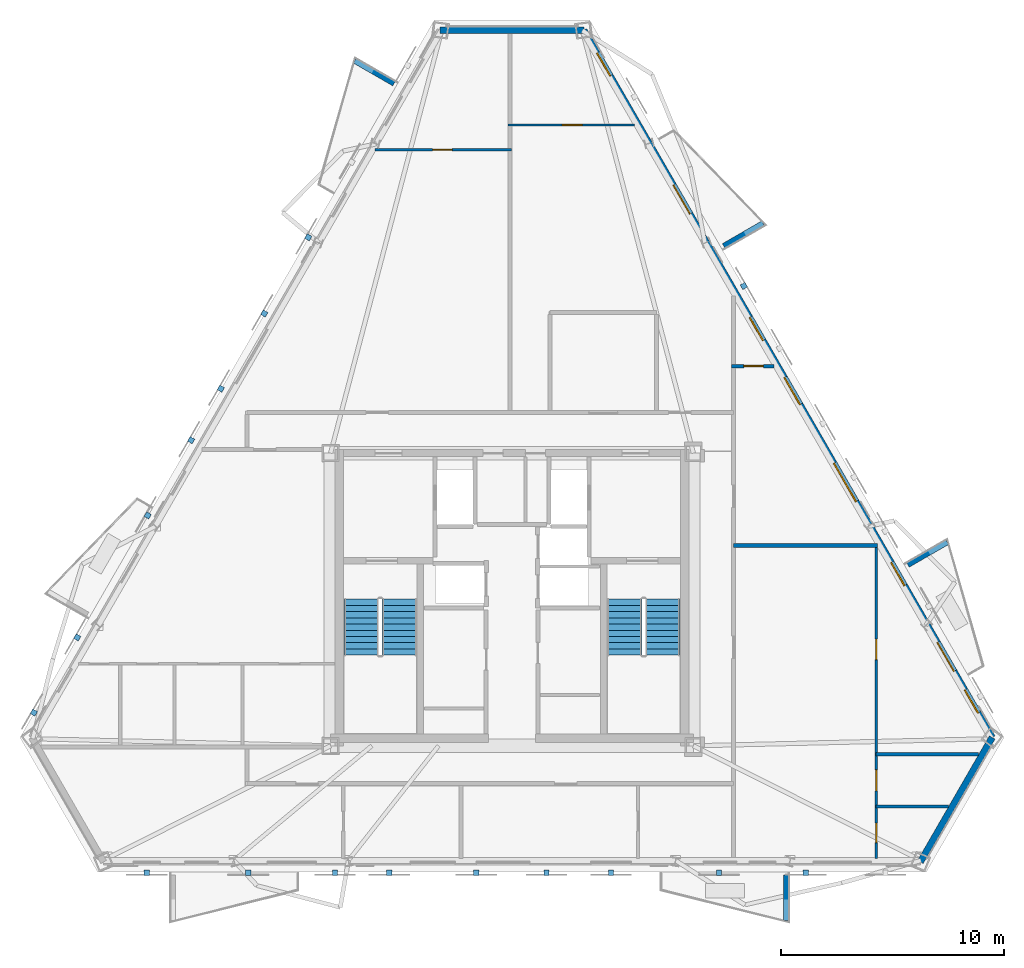
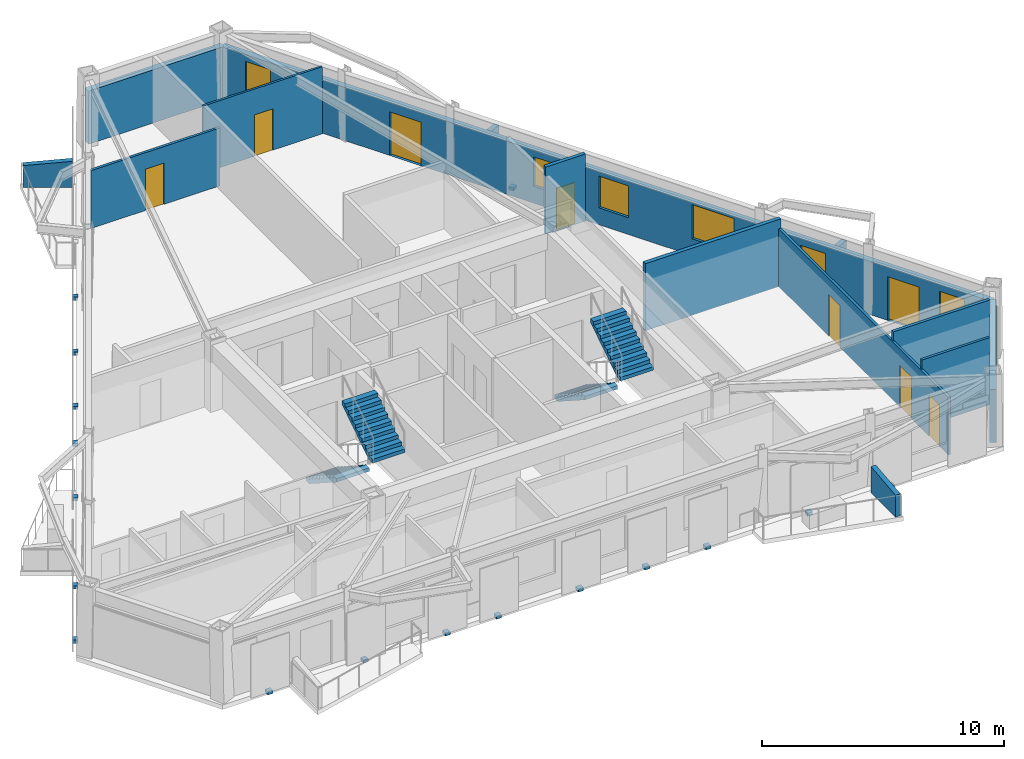
# One storey, part 5 of 9: 17 discrete accessories, 14 walls, 8 doors, 6 windows, 4 stair flights, 14 openings, 2 elements without a shape of their own.
"""IFC4 building model written with IfcOpenShell, lengths in metres."""

import ifcopenshell
import ifcopenshell.guid

model = None  # the IFC model being written
_history = None  # IfcOwnerHistory: only IFC2X3 demands one
_inside = {}  # id of a spatial element -> (the spatial element, [elements in it])
_under = {}  # id of a project, library or spatial element -> (it, [spatial elements below it])
_declared = {}  # id of a project -> (the project, [libraries it declares])
_typed = {}  # id of a type object -> (the type object, [elements of that type])
_made_of = {}  # id of a material, layer set ... -> (it, [elements and type objects made of it])


def new_model(schema):
    """Start an empty IFC model of exactly this schema.

    Asked for "IFC4X3", IfcOpenShell would pick the latest addendum, in which some entities
    have other attributes; the version numbers below select the first issue.
    IFC2X3 requires an IfcOwnerHistory on every rooted entity: one is made here for all.
    """
    global model, _history
    if schema == "IFC4X3":
        model = ifcopenshell.file(schema_version=(4, 3, 0, 0))
    else:
        model = ifcopenshell.file(schema=schema)
    _inside.clear()
    _under.clear()
    _declared.clear()
    _typed.clear()
    _made_of.clear()
    _history = None
    if model.schema == "IFC2X3":
        org = make("IfcOrganization", Name="unknown")
        user = make(
            "IfcPersonAndOrganization",
            ThePerson=make("IfcPerson", FamilyName="unknown"),
            TheOrganization=org,
        )
        app = make(
            "IfcApplication",
            ApplicationDeveloper=org,
            Version="unknown",
            ApplicationFullName="unknown",
            ApplicationIdentifier="unknown",
        )
        _history = make(
            "IfcOwnerHistory",
            OwningUser=user,
            OwningApplication=app,
            ChangeAction="ADDED",
            CreationDate=0,
        )
    return model


def make(cls, **values):
    """One entity of the class cls with the attributes given. An attribute that is None is left unset."""
    return model.create_entity(
        cls, **{name: value for name, value in values.items() if value is not None}
    )


def rooted(cls, **values):
    """An entity with a GlobalId (a new one), such as an element, a storey or a relation."""
    return make(cls, GlobalId=ifcopenshell.guid.new(), OwnerHistory=_history, **values)


def si_unit(unit_type, name, prefix=None):
    """IfcSIUnit, for example si_unit("LENGTHUNIT", "METRE", prefix="MILLI")."""
    return make("IfcSIUnit", UnitType=unit_type, Prefix=prefix, Name=name)


def assignment(units):
    """IfcUnitAssignment: the units of a project."""
    return None if units is None else make("IfcUnitAssignment", Units=units)


def point(xyz):
    """IfcCartesianPoint."""
    return None if xyz is None else make("IfcCartesianPoint", Coordinates=xyz)


def direction(xyz):
    """IfcDirection."""
    return None if xyz is None else make("IfcDirection", DirectionRatios=xyz)


def frame(location, z_axis=None, x_axis=None):
    """IfcAxis2Placement3D, a coordinate frame: its origin and axes. An axis left out is left unset."""
    return make(
        "IfcAxis2Placement3D",
        Location=point(location),
        Axis=direction(z_axis),
        RefDirection=direction(x_axis),
    )


def frame_2d(location, x_axis=None):
    """IfcAxis2Placement2D, a coordinate frame in the plane: its origin and x axis."""
    return make(
        "IfcAxis2Placement2D", Location=point(location), RefDirection=direction(x_axis)
    )


def origin():
    """The frame at (0, 0, 0) with its axes left unset."""
    return frame((0.0, 0.0, 0.0))


def origin_2d():
    """The frame at (0, 0) in the plane with its x axis left unset."""
    return frame_2d((0.0, 0.0))


def place(relative_to, where):
    """IfcLocalPlacement: puts the frame where relative to a parent placement (None: the world)."""
    return make(
        "IfcLocalPlacement", PlacementRelTo=relative_to, RelativePlacement=where
    )


def context(
    kind, dimensions, precision=None, world=None, true_north=None, identifier=None
):
    """IfcGeometricRepresentationContext, for example the 3D "Model" context."""
    return make(
        "IfcGeometricRepresentationContext",
        ContextIdentifier=identifier,
        ContextType=kind,
        CoordinateSpaceDimension=dimensions,
        Precision=precision,
        WorldCoordinateSystem=world,
        TrueNorth=true_north,
    )


def subcontext(parent, identifier, kind, view, scale=None):
    """IfcGeometricRepresentationSubContext, for example "Body" below "Model"."""
    return make(
        "IfcGeometricRepresentationSubContext",
        ContextIdentifier=identifier,
        ContextType=kind,
        ParentContext=parent,
        TargetScale=scale,
        TargetView=view,
    )


def project(units=None, contexts=None):
    """IfcProject with its units and contexts."""
    return rooted(
        "IfcProject",
        Name="project",
        RepresentationContexts=contexts,
        UnitsInContext=assignment(units),
    )


def spatial(cls, under=None, at=None, **own):
    """A site, building, storey or space (cls), placed at a placement, below another one or the project."""
    s = rooted(cls, ObjectPlacement=at, **own)
    if under is not None:
        _under.setdefault(under.id(), (under, []))[1].append(s)
    return s


def polyline(points):
    """IfcPolyline through the points."""
    return make("IfcPolyline", Points=[point(p) for p in points])


def profile(cls, at=None, kind="AREA", **sizes):
    """A parametric profile (cls). Its sizes go by their IFC names, for example OverallWidth=200.0."""
    return make(cls, ProfileType=kind, Position=at, **sizes)


def rectangle(**sizes):
    """IfcRectangleProfileDef."""
    return profile("IfcRectangleProfileDef", **sizes)


def outline(outer, holes=None, kind="AREA"):
    """IfcArbitraryClosedProfileDef: a profile drawn as a closed curve; with holes, ...WithVoids."""
    if holes is None:
        return make("IfcArbitraryClosedProfileDef", ProfileType=kind, OuterCurve=outer)
    return make(
        "IfcArbitraryProfileDefWithVoids",
        ProfileType=kind,
        OuterCurve=outer,
        InnerCurves=holes,
    )


def extrude(swept, where, along, depth):
    """IfcExtrudedAreaSolid: the profile swept, set in the frame where, extruded along a direction by depth."""
    return make(
        "IfcExtrudedAreaSolid",
        SweptArea=swept,
        Position=where,
        ExtrudedDirection=direction(along),
        Depth=depth,
    )


def shape(context_of_items, identifier, shape_type, items):
    """IfcShapeRepresentation: the items that make up one representation, for example the "Body"."""
    return make(
        "IfcShapeRepresentation",
        ContextOfItems=context_of_items,
        RepresentationIdentifier=identifier,
        RepresentationType=shape_type,
        Items=items,
    )


def material(Name=None, Category=None):
    """IfcMaterial."""
    return make("IfcMaterial", Name=Name, Category=Category)


def layer(
    of_material, thickness, ventilated=None, Name=None, Category=None, Priority=None
):
    """IfcMaterialLayer: one layer of a wall or slab, of a material (None: an air gap)."""
    return make(
        "IfcMaterialLayer",
        Material=of_material,
        LayerThickness=thickness,
        IsVentilated=ventilated,
        Name=Name,
        Category=Category,
        Priority=Priority,
    )


def layer_set(layers, Name=None):
    """IfcMaterialLayerSet."""
    return make("IfcMaterialLayerSet", MaterialLayers=layers, LayerSetName=Name)


def made_of(thing, what):
    """Note that an element or type object is made of a material, layer set ...; save() writes the relation."""
    if what is not None:
        _made_of.setdefault(what.id(), (what, []))[1].append(thing)
    return thing


def type_object(cls, material=None, **own):
    """A type object (cls), such as IfcWallType, which elements share."""
    return made_of(rooted(cls, **own), material)


def element(
    cls,
    number,
    at=None,
    inside=None,
    cuts=None,
    type_object=None,
    material=None,
    context=None,
    identifier="Body",
    shape_type=None,
    held_by="IfcProductDefinitionShape",
    body=None,
    shapes=None,
    **own,
):
    """One element of the class cls, such as IfcWall. Its Tag is "e" and its number.

    at: its placement. inside: the storey or other place that contains it. cuts: it is an
    opening in that element (IfcRelVoidsElement). A single representation is given by context,
    identifier, shape_type and body (its items); several are given by shapes. held_by: the class
    of the entity that holds the representations. save() writes the other relations.
    """
    e = rooted(cls, Tag="e%d" % number, ObjectPlacement=at, **own)
    if body is not None:
        shapes = [shape(context, identifier, shape_type, body)]
    if shapes is not None:
        e.Representation = make(held_by, Representations=shapes)
    if inside is not None:
        _inside.setdefault(inside.id(), (inside, []))[1].append(e)
    if cuts is not None:
        rooted(
            "IfcRelVoidsElement", RelatingBuildingElement=cuts, RelatedOpeningElement=e
        )
    if type_object is not None:
        _typed.setdefault(type_object.id(), (type_object, []))[1].append(e)
    return made_of(e, material)


def fill(opening, filler):
    """IfcRelFillsElement: the door or window that sits in an opening."""
    return rooted(
        "IfcRelFillsElement",
        RelatingOpeningElement=opening,
        RelatedBuildingElement=filler,
    )


def aggregate(whole, parts):
    """IfcRelAggregates: a whole, such as a stair, and the parts it consists of."""
    return rooted("IfcRelAggregates", RelatingObject=whole, RelatedObjects=parts)


def save(model, path):
    """Write the relations noted so far, then the file.

    IfcRelAggregates (storeys below a building ...), IfcRelContainedInSpatialStructure (elements
    in a storey), IfcRelDefinesByType, IfcRelAssociatesMaterial and IfcRelDeclares: one each for
    every whole, place, type object, material and project.
    """
    for whole, parts in _under.values():
        aggregate(whole, parts)
    for where, things in _inside.values():
        rooted(
            "IfcRelContainedInSpatialStructure",
            RelatedElements=things,
            RelatingStructure=where,
        )
    for kind, things in _typed.values():
        rooted("IfcRelDefinesByType", RelatedObjects=things, RelatingType=kind)
    for what, things in _made_of.values():
        rooted("IfcRelAssociatesMaterial", RelatedObjects=things, RelatingMaterial=what)
    for by, libraries in _declared.values():
        rooted("IfcRelDeclares", RelatingContext=by, RelatedDefinitions=libraries)
    model.write(path)


model = new_model("IFC4")

# Units and contexts
model_context = context("Model", 3, precision=1e-05, world=origin(), true_north=direction((0.0, 1.0)))
body_context = subcontext(model_context, "Body", "Model", "MODEL_VIEW")
ifc_project = project(units=[si_unit("LENGTHUNIT", "METRE"), si_unit("AREAUNIT", "SQUARE_METRE"), si_unit("VOLUMEUNIT", "CUBIC_METRE"), si_unit("PLANEANGLEUNIT", "RADIAN"), si_unit("MASSUNIT", "GRAM", prefix="KILO")], contexts=[model_context])

# Site, building, storey
site_placement = place(None, origin())
site = spatial("IfcSite", under=ifc_project, at=site_placement, CompositionType="ELEMENT")
building_placement = place(site_placement, origin())
building = spatial("IfcBuilding", under=site, at=building_placement, Name="Oramaril Tower", CompositionType="ELEMENT")
storey_placement = place(building_placement, frame((0.0, 0.0, 223.5)))
storey = spatial("IfcBuildingStorey", under=building, at=storey_placement, Name="L59", CompositionType="ELEMENT", Elevation=223.5)

# Wall
ifc_material_1 = material(Name="Warm Cream Limestone", Category="masonry")
ifc_layer_1 = layer(ifc_material_1, 0.2900390625)
ifc_layer_set_1 = layer_set([ifc_layer_1], Name="WT-EXT29")
wall_type_1 = type_object("IfcWallType", Name="WT-EXT29", PredefinedType="SOLIDWALL", material=ifc_layer_set_1)
wall_1_placement = place(storey_placement, frame((55.843994140625, 5.783935546875, 0.0), z_axis=(0.0, 0.0, 1.0), x_axis=(0.500005232821, 0.866022382593, 0.0)))
element("IfcWall", 1, at=wall_1_placement, inside=storey, type_object=wall_type_1, Name="L59 Tower Limestone Facade Wall 3M", PredefinedType="SOLIDWALL", context=body_context, shape_type="SweptSolid", body=[
    extrude(rectangle(XDim=6.4521484375, YDim=0.2900390625, at=frame_2d((3.22607421875, 0.0))), origin(), (0.0, 0.0, 1.0), 2.677001953125),
])

# Wall, openings, doors, windows
wall_2_placement = place(storey_placement, frame((59.070068359375, 11.37158203125, 0.0), z_axis=(0.0, 0.0, 1.0), x_axis=(-0.500000292553, 0.866025234879, 0.0)))
wall_2 = element("IfcWall", 2, at=wall_2_placement, inside=storey, type_object=wall_type_1, Name="L59 Tower Limestone Facade Wall 4M", PredefinedType="SOLIDWALL", context=body_context, shape_type="SweptSolid", body=[
    extrude(rectangle(XDim=36.68798828125, YDim=0.2900390625, at=frame_2d((18.343994140625, 0.0))), origin(), (0.0, 0.0, 1.0), 2.677001953125),
])
opening_1_placement = place(wall_2_placement, frame((3.429443359375, 0.0, 0.0)))
opening_1 = element("IfcOpeningElement", 3, at=opening_1_placement, cuts=wall_2, Name="Opening D-L59-BAL-NE1", PredefinedType="OPENING", context=body_context, shape_type="SweptSolid", body=[
    extrude(rectangle(XDim=1.5, YDim=2.199951171875, at=frame_2d((0.75, 1.10009765625))), frame((0.0, 0.14501953125, 0.0), z_axis=(0.0, -1.0, 0.0), x_axis=(1.0, 0.0, 0.0)), (0.0, 0.0, 1.0), 0.2900390625),
])
opening_2_placement = place(wall_2_placement, frame((27.153564453125, 0.0, 0.0)))
opening_2 = element("IfcOpeningElement", 4, at=opening_2_placement, cuts=wall_2, Name="Opening D-L59-BAL-NE2", PredefinedType="OPENING", context=body_context, shape_type="SweptSolid", body=[
    extrude(rectangle(XDim=1.5, YDim=2.199951171875, at=frame_2d((0.75, 1.10009765625))), frame((0.0, 0.14501953125, 0.0), z_axis=(0.0, -1.0, 0.0), x_axis=(1.0, 0.0, 0.0)), (0.0, 0.0, 1.0), 0.2900390625),
])
opening_3_placement = place(wall_2_placement, frame((7.877685546875, 0.0, 0.85009765625)))
opening_3 = element("IfcOpeningElement", 5, at=opening_3_placement, cuts=wall_2, Name="Opening WN-09", PredefinedType="OPENING", context=body_context, shape_type="SweptSolid", body=[
    extrude(rectangle(XDim=1.199951171875, YDim=1.47998046875, at=frame_2d((0.60009765625, 0.739990234375))), frame((0.0, 0.14501953125, 0.0), z_axis=(0.0, -1.0, 0.0), x_axis=(1.0, 0.0, 0.0)), (0.0, 0.0, 1.0), 0.2900390625),
])
opening_4_placement = place(wall_2_placement, frame((1.265625, 0.0, 0.85009765625)))
opening_4 = element("IfcOpeningElement", 6, at=opening_4_placement, cuts=wall_2, Name="Opening WN-09", PredefinedType="OPENING", context=body_context, shape_type="SweptSolid", body=[
    extrude(rectangle(XDim=1.199951171875, YDim=1.47998046875, at=frame_2d((0.60009765625, 0.739990234375))), frame((0.0, 0.14501953125, 0.0), z_axis=(0.0, -1.0, 0.0), x_axis=(1.0, 0.0, 0.0)), (0.0, 0.0, 1.0), 0.2900390625),
])
opening_5_placement = place(wall_2_placement, frame((12.231689453125, 0.0, 0.85009765625)))
opening_5 = element("IfcOpeningElement", 7, at=opening_5_placement, cuts=wall_2, Name="Opening WN-05", PredefinedType="OPENING", context=body_context, shape_type="SweptSolid", body=[
    extrude(rectangle(XDim=2.0, YDim=1.717041015625, at=frame_2d((1.0, 0.8583984375))), frame((0.0, 0.14501953125, 0.0), z_axis=(0.0, -1.0, 0.0), x_axis=(1.0, 0.0, 0.0)), (0.0, 0.0, 1.0), 0.2900390625),
])
opening_6_placement = place(wall_2_placement, frame((17.268310546875, 0.0, 0.85009765625)))
opening_6 = element("IfcOpeningElement", 8, at=opening_6_placement, cuts=wall_2, Name="Opening WN-08", PredefinedType="OPENING", context=body_context, shape_type="SweptSolid", body=[
    extrude(rectangle(XDim=1.39990234375, YDim=1.60009765625, at=frame_2d((0.699951171875, 0.800048828125))), frame((0.0, 0.14501953125, 0.0), z_axis=(0.0, -1.0, 0.0), x_axis=(1.0, 0.0, 0.0)), (0.0, 0.0, 1.0), 0.2900390625),
])
opening_7_placement = place(wall_2_placement, frame((20.593505859375, 0.0, 0.85009765625)))
opening_7 = element("IfcOpeningElement", 9, at=opening_7_placement, cuts=wall_2, Name="Opening WN-09", PredefinedType="OPENING", context=body_context, shape_type="SweptSolid", body=[
    extrude(rectangle(XDim=1.199951171875, YDim=1.47998046875, at=frame_2d((0.60009765625, 0.739990234375))), frame((0.0, 0.14501953125, 0.0), z_axis=(0.0, -1.0, 0.0), x_axis=(1.0, 0.0, 0.0)), (0.0, 0.0, 1.0), 0.2900390625),
])
opening_8_placement = place(wall_2_placement, frame((34.312255859375, 0.0, 0.85009765625)))
opening_8 = element("IfcOpeningElement", 10, at=opening_8_placement, cuts=wall_2, Name="Opening WN-09", PredefinedType="OPENING", context=body_context, shape_type="SweptSolid", body=[
    extrude(rectangle(XDim=1.199951171875, YDim=1.47998046875, at=frame_2d((0.60009765625, 0.739990234375))), frame((0.0, 0.14501953125, 0.0), z_axis=(0.0, -1.0, 0.0), x_axis=(1.0, 0.0, 0.0)), (0.0, 0.0, 1.0), 0.2900390625),
])
ifc_material_2 = material(Name="Anodised Aluminium 6063-T6", Category="aluminium")
door_type_1 = type_object("IfcDoorType", Name="DT-BAL", OperationType="NOTDEFINED", PredefinedType="DOOR", material=ifc_material_2)
door_1_placement = place(opening_1_placement, origin())
door_1 = element("IfcDoor", 11, at=door_1_placement, inside=storey, type_object=door_type_1, Name="L59 Balcony Glazed Door L59-BAL-NE1", OperationType="SINGLE_SWING_RIGHT", OverallHeight=2.199951171875, OverallWidth=1.5, PredefinedType="DOOR", context=body_context, shape_type="SweptSolid", body=[
    extrude(rectangle(XDim=1.5, YDim=2.199951171875, at=frame_2d((0.75, 1.10009765625))), frame((0.0, 0.02490234375, 0.0), z_axis=(0.0, -1.0, 0.0), x_axis=(1.0, 0.0, 0.0)), (0.0, 0.0, 1.0), 0.050048828125),
])
fill(opening_1, door_1)
door_2_placement = place(opening_2_placement, origin())
door_2 = element("IfcDoor", 12, at=door_2_placement, inside=storey, type_object=door_type_1, Name="L59 Balcony Glazed Door L59-BAL-NE2", OperationType="SINGLE_SWING_LEFT", OverallHeight=2.199951171875, OverallWidth=1.5, PredefinedType="DOOR", context=body_context, shape_type="SweptSolid", body=[
    extrude(rectangle(XDim=1.5, YDim=2.199951171875, at=frame_2d((0.75, 1.10009765625))), frame((0.0, 0.02490234375, 0.0), z_axis=(0.0, -1.0, 0.0), x_axis=(1.0, 0.0, 0.0)), (0.0, 0.0, 1.0), 0.050048828125),
])
fill(opening_2, door_2)
ifc_material_3 = material(Name="Coastal Low-E Insulated Glass", Category="glass")
window_type_1 = type_object("IfcWindowType", Name="WNT-05", PartitioningType="SINGLE_PANEL", PredefinedType="WINDOW", material=ifc_material_3)
window_1_placement = place(opening_5_placement, origin())
window_1 = element("IfcWindow", 13, at=window_1_placement, inside=storey, type_object=window_type_1, Name="L59 Chicago Bay Window WN-05", OverallHeight=1.717041015625, OverallWidth=2.0, PartitioningType="SINGLE_PANEL", PredefinedType="WINDOW", context=body_context, shape_type="SweptSolid", body=[
    extrude(rectangle(XDim=2.0, YDim=1.717041015625, at=frame_2d((1.0, 0.8583984375))), frame((0.0, 0.030029296875, 0.0), z_axis=(0.0, -1.0, 0.0), x_axis=(1.0, 0.0, 0.0)), (0.0, 0.0, 1.0), 0.06005859375),
])
fill(opening_5, window_1)
ifc_material_4 = material(Name="Coastal Low-E Insulated Glass", Category="glass")
window_type_2 = type_object("IfcWindowType", Name="WNT-08", PartitioningType="SINGLE_PANEL", PredefinedType="WINDOW", material=ifc_material_4)
window_2_placement = place(opening_6_placement, origin())
window_2 = element("IfcWindow", 14, at=window_2_placement, inside=storey, type_object=window_type_2, Name="L59 Chicago Bay Window WN-08", OverallHeight=1.60009765625, OverallWidth=1.39990234375, PartitioningType="SINGLE_PANEL", PredefinedType="WINDOW", context=body_context, shape_type="SweptSolid", body=[
    extrude(rectangle(XDim=1.39990234375, YDim=1.60009765625, at=frame_2d((0.699951171875, 0.800048828125))), frame((0.0, 0.030029296875, 0.0), z_axis=(0.0, -1.0, 0.0), x_axis=(1.0, 0.0, 0.0)), (0.0, 0.0, 1.0), 0.06005859375),
])
fill(opening_6, window_2)
ifc_material_5 = material(Name="Coastal Low-E Insulated Glass", Category="glass")
window_type_3 = type_object("IfcWindowType", Name="WNT-09", PartitioningType="SINGLE_PANEL", PredefinedType="WINDOW", material=ifc_material_5)
window_3_placement = place(opening_3_placement, origin())
window_3 = element("IfcWindow", 15, at=window_3_placement, inside=storey, type_object=window_type_3, Name="L59 Chicago Bay Window WN-09", OverallHeight=1.47998046875, OverallWidth=1.199951171875, PartitioningType="SINGLE_PANEL", PredefinedType="WINDOW", context=body_context, shape_type="SweptSolid", body=[
    extrude(rectangle(XDim=1.199951171875, YDim=1.47998046875, at=frame_2d((0.60009765625, 0.739990234375))), frame((0.0, 0.030029296875, 0.0), z_axis=(0.0, -1.0, 0.0), x_axis=(1.0, 0.0, 0.0)), (0.0, 0.0, 1.0), 0.06005859375),
])
fill(opening_3, window_3)
window_4_placement = place(opening_4_placement, origin())
window_4 = element("IfcWindow", 16, at=window_4_placement, inside=storey, type_object=window_type_3, Name="L59 Chicago Bay Window WN-09", OverallHeight=1.47998046875, OverallWidth=1.199951171875, PartitioningType="SINGLE_PANEL", PredefinedType="WINDOW", context=body_context, shape_type="SweptSolid", body=[
    extrude(rectangle(XDim=1.199951171875, YDim=1.47998046875, at=frame_2d((0.60009765625, 0.739990234375))), frame((0.0, 0.030029296875, 0.0), z_axis=(0.0, -1.0, 0.0), x_axis=(1.0, 0.0, 0.0)), (0.0, 0.0, 1.0), 0.06005859375),
])
fill(opening_4, window_4)
window_5_placement = place(opening_7_placement, origin())
window_5 = element("IfcWindow", 17, at=window_5_placement, inside=storey, type_object=window_type_3, Name="L59 Chicago Bay Window WN-09", OverallHeight=1.47998046875, OverallWidth=1.199951171875, PartitioningType="SINGLE_PANEL", PredefinedType="WINDOW", context=body_context, shape_type="SweptSolid", body=[
    extrude(rectangle(XDim=1.199951171875, YDim=1.47998046875, at=frame_2d((0.60009765625, 0.739990234375))), frame((0.0, 0.030029296875, 0.0), z_axis=(0.0, -1.0, 0.0), x_axis=(1.0, 0.0, 0.0)), (0.0, 0.0, 1.0), 0.06005859375),
])
fill(opening_7, window_5)
window_6_placement = place(opening_8_placement, origin())
window_6 = element("IfcWindow", 18, at=window_6_placement, inside=storey, type_object=window_type_3, Name="L59 Chicago Bay Window WN-09", OverallHeight=1.47998046875, OverallWidth=1.199951171875, PartitioningType="SINGLE_PANEL", PredefinedType="WINDOW", context=body_context, shape_type="SweptSolid", body=[
    extrude(rectangle(XDim=1.199951171875, YDim=1.47998046875, at=frame_2d((0.60009765625, 0.739990234375))), frame((0.0, 0.030029296875, 0.0), z_axis=(0.0, -1.0, 0.0), x_axis=(1.0, 0.0, 0.0)), (0.0, 0.0, 1.0), 0.06005859375),
])
fill(opening_8, window_6)

# Walls
wall_3_placement = place(storey_placement, frame((40.72607421875, 43.144287109375, 0.0), z_axis=(0.0, 0.0, 1.0), x_axis=(-1.0, 0.0, 0.0)))
element("IfcWall", 19, at=wall_3_placement, inside=storey, type_object=wall_type_1, Name="L59 Tower Limestone Facade Wall 5M", PredefinedType="SOLIDWALL", context=body_context, shape_type="SweptSolid", body=[
    extrude(rectangle(XDim=6.4521484375, YDim=0.2900390625, at=frame_2d((3.22607421875, 0.0))), origin(), (0.0, 0.0, 1.0), 2.677001953125),
])
ifc_material_6 = material(Name="Concrete C40/50", Category="concrete")
ifc_layer_2 = layer(ifc_material_6, 0.22998046875)
ifc_layer_set_2 = layer_set([ifc_layer_2], Name="WT-PRP23")
wall_type_2 = type_object("IfcWallType", Name="WT-PRP23", PredefinedType="PARAPET", material=ifc_layer_set_2)
for number, where, z_axis, x_axis, name in (
    (20, (49.8046875, 5.18603515625, 0.0), (0.0, 0.0, 1.0), (0.0, -1.0, 0.0), "L59 Trapezoidal Balcony Frame Cheek L59-BAL-S2-R"),
    (21, (55.28564453125, 19.122314453125, 0.0), (0.0, 0.0, 1.0), (0.866042246008, 0.499970827278, 0.0), "L59 Trapezoidal Balcony Frame Cheek L59-BAL-NE1-R"),
    (22, (47.008544921875, 33.45849609375, 0.0), (0.0, 0.0, 1.0), (0.866042246008, 0.499970827278, 0.0), "L59 Trapezoidal Balcony Frame Cheek L59-BAL-NE2-L"),
    (23, (32.198974609375, 40.74609375, 0.0), (0.0, 0.0, 1.0), (-0.866042246008, 0.499970827278, 0.0), "L59 Trapezoidal Balcony Frame Cheek L59-BAL-NW1-L"),
):
    element("IfcWall", number, at=place(storey_placement, frame(where, z_axis=z_axis, x_axis=x_axis)), inside=storey, type_object=wall_type_2, Name=name, PredefinedType="PARAPET", context=body_context, shape_type="SweptSolid", body=[
        extrude(outline(polyline([(0.0, 0.0), (2.0419921875, 0.0), (2.0419921875, 1.10009765625), (0.0, 1.320068359375), (0.0, 0.0)])), frame((0.0, 0.114990234375, 0.0), z_axis=(0.0, -1.0, 0.0), x_axis=(1.0, 0.0, 0.0)), (0.0, 0.0, 1.0), 0.22998046875),
    ])

# Wall, opening, door
ifc_material_7 = material(Name="Acoustic Gypsum Board Partition")
ifc_layer_3 = layer(ifc_material_7, 0.10009765625)
ifc_layer_set_3 = layer_set([ifc_layer_3], Name="WT-PT10")
wall_type_3 = type_object("IfcWallType", Name="WT-PT10", PredefinedType="PARTITIONING", material=ifc_layer_set_3)
wall_4_placement = place(storey_placement, frame((37.318115234375, 38.889892578125, 0.0), z_axis=(0.0, 0.0, 1.0), x_axis=(1.0, 0.0, 0.0)))
wall_4 = element("IfcWall", 24, at=wall_4_placement, inside=storey, type_object=wall_type_3, Name="L59 Interior Partition PT-10", PredefinedType="PARTITIONING", context=body_context, shape_type="SweptSolid", body=[
    extrude(rectangle(XDim=5.692138671875, YDim=0.10009765625, at=frame_2d((2.84619140625, 0.0))), origin(), (0.0, 0.0, 1.0), 3.3798828125),
])
opening_9_placement = place(wall_4_placement, frame((2.448486328125, 0.0, 0.0)))
opening_9 = element("IfcOpeningElement", 25, at=opening_9_placement, cuts=wall_4, Name="Opening D-L59-13", PredefinedType="OPENING", context=body_context, shape_type="SweptSolid", body=[
    extrude(rectangle(XDim=0.8798828125, YDim=2.080078125, at=frame_2d((0.43994140625, 1.0400390625))), frame((0.0, 0.050048828125, 0.0), z_axis=(0.0, -1.0, 0.0), x_axis=(1.0, 0.0, 0.0)), (0.0, 0.0, 1.0), 0.10009765625),
])
ifc_material_8 = material(Name="FSC Brazilian Freijo Hardwood", Category="wood")
door_type_2 = type_object("IfcDoorType", Name="DT-BATH", OperationType="NOTDEFINED", PredefinedType="DOOR", material=ifc_material_8)
door_3_placement = place(opening_9_placement, origin())
door_3 = element("IfcDoor", 26, at=door_3_placement, inside=storey, type_object=door_type_2, Name="L59 Flat L59-U7 Bathroom Door D-L59-13", OperationType="SINGLE_SWING_LEFT", OverallHeight=2.080078125, OverallWidth=0.8798828125, PredefinedType="DOOR", context=body_context, shape_type="SweptSolid", body=[
    extrude(rectangle(XDim=0.8798828125, YDim=2.080078125, at=frame_2d((0.43994140625, 1.0400390625))), frame((0.0, 0.02490234375, 0.0), z_axis=(0.0, -1.0, 0.0), x_axis=(1.0, 0.0, 0.0)), (0.0, 0.0, 1.0), 0.050048828125),
])
fill(opening_9, door_3)

# Wall
ifc_material_9 = material(Name="Acoustic Gypsum Board Partition")
ifc_layer_4 = layer(ifc_material_9, 0.1201171875)
ifc_layer_set_4 = layer_set([ifc_layer_4], Name="WT-PT12")
wall_type_4 = type_object("IfcWallType", Name="WT-PT12", PredefinedType="PARTITIONING", material=ifc_layer_set_4)
wall_5_placement = place(storey_placement, frame((53.860107421875, 8.27001953125, 0.0), z_axis=(0.0, 0.0, 1.0), x_axis=(1.0, 0.0, 0.0)))
element("IfcWall", 27, at=wall_5_placement, inside=storey, type_object=wall_type_4, Name="L59 Interior Partition PT-12", PredefinedType="PARTITIONING", context=body_context, shape_type="SweptSolid", body=[
    extrude(rectangle(XDim=3.2470703125, YDim=0.1201171875, at=frame_2d((1.62353515625, 0.0))), origin(), (0.0, 0.0, 1.0), 3.3798828125),
])

# Wall, opening, door
wall_6_placement = place(storey_placement, frame((31.343017578125, 37.77001953125, 0.0), z_axis=(0.0, 0.0, 1.0), x_axis=(1.0, 0.0, 0.0)))
wall_6 = element("IfcWall", 28, at=wall_6_placement, inside=storey, type_object=wall_type_4, Name="L59 Interior Partition PT-12", PredefinedType="PARTITIONING", context=body_context, shape_type="SweptSolid", body=[
    extrude(rectangle(XDim=6.138916015625, YDim=0.1201171875, at=frame_2d((3.0693359375, 0.0))), origin(), (0.0, 0.0, 1.0), 2.9130859375),
])
opening_10_placement = place(wall_6_placement, frame((2.587158203125, 0.0, 0.0)))
opening_10 = element("IfcOpeningElement", 29, at=opening_10_placement, cuts=wall_6, Name="Opening D-L59-12", PredefinedType="OPENING", context=body_context, shape_type="SweptSolid", body=[
    extrude(rectangle(XDim=0.8798828125, YDim=2.080078125, at=frame_2d((0.43994140625, 1.0400390625))), frame((0.0, 0.06005859375, 0.0), z_axis=(0.0, -1.0, 0.0), x_axis=(1.0, 0.0, 0.0)), (0.0, 0.0, 1.0), 0.1201171875),
])
door_4_placement = place(opening_10_placement, origin())
door_4 = element("IfcDoor", 30, at=door_4_placement, inside=storey, type_object=door_type_2, Name="L59 Flat L59-U6 Bathroom Door D-L59-12", OperationType="SINGLE_SWING_RIGHT", OverallHeight=2.080078125, OverallWidth=0.8798828125, PredefinedType="DOOR", context=body_context, shape_type="SweptSolid", body=[
    extrude(rectangle(XDim=0.8798828125, YDim=2.080078125, at=frame_2d((0.43994140625, 1.0400390625))), frame((0.0, 0.02490234375, 0.0), z_axis=(0.0, -1.0, 0.0), x_axis=(1.0, 0.0, 0.0)), (0.0, 0.0, 1.0), 0.050048828125),
])
fill(opening_10, door_4)

# Wall, openings, doors
wall_7_placement = place(storey_placement, frame((53.860107421875, 5.93310546875, 0.0), z_axis=(0.0, 0.0, 1.0), x_axis=(0.0, 1.0, 0.0)))
wall_7 = element("IfcWall", 31, at=wall_7_placement, inside=storey, type_object=wall_type_4, Name="L59 Interior Partition PT-12", PredefinedType="PARTITIONING", context=body_context, shape_type="SweptSolid", body=[
    extrude(rectangle(XDim=13.972900390625, YDim=0.1201171875, at=frame_2d((6.986328125, 0.0))), origin(), (0.0, 0.0, 1.0), 2.9130859375),
])
opening_11_placement = place(wall_7_placement, frame((0.714599609375, 0.0, 0.0)))
opening_11 = element("IfcOpeningElement", 32, at=opening_11_placement, cuts=wall_7, Name="Opening D-L59-18", PredefinedType="OPENING", context=body_context, shape_type="SweptSolid", body=[
    extrude(rectangle(XDim=0.8798828125, YDim=2.080078125, at=frame_2d((0.43994140625, 1.0400390625))), frame((0.0, 0.06005859375, 0.0), z_axis=(0.0, -1.0, 0.0), x_axis=(1.0, 0.0, 0.0)), (0.0, 0.0, 1.0), 0.1201171875),
])
opening_12_placement = place(wall_7_placement, frame((3.039794921875, 0.0, 0.0)))
opening_12 = element("IfcOpeningElement", 33, at=opening_12_placement, cuts=wall_7, Name="Opening D-L59-19", PredefinedType="OPENING", context=body_context, shape_type="SweptSolid", body=[
    extrude(rectangle(XDim=0.949951171875, YDim=2.10009765625, at=frame_2d((0.47509765625, 1.050048828125))), frame((0.0, 0.06005859375, 0.0), z_axis=(0.0, -1.0, 0.0), x_axis=(1.0, 0.0, 0.0)), (0.0, 0.0, 1.0), 0.1201171875),
])
opening_13_placement = place(wall_7_placement, frame((8.93408203125, 0.0, 0.0)))
opening_13 = element("IfcOpeningElement", 34, at=opening_13_placement, cuts=wall_7, Name="Opening D-L59-20", PredefinedType="OPENING", context=body_context, shape_type="SweptSolid", body=[
    extrude(rectangle(XDim=0.919921875, YDim=2.1201171875, at=frame_2d((0.4599609375, 1.06005859375))), frame((0.0, 0.06005859375, 0.0), z_axis=(0.0, -1.0, 0.0), x_axis=(1.0, 0.0, 0.0)), (0.0, 0.0, 1.0), 0.1201171875),
])
door_5_placement = place(opening_11_placement, origin())
door_5 = element("IfcDoor", 35, at=door_5_placement, inside=storey, type_object=door_type_2, Name="L59 Flat L59-U4 Bathroom Door D-L59-18", OperationType="SINGLE_SWING_RIGHT", OverallHeight=2.080078125, OverallWidth=0.8798828125, PredefinedType="DOOR", context=body_context, shape_type="SweptSolid", body=[
    extrude(rectangle(XDim=0.8798828125, YDim=2.080078125, at=frame_2d((0.43994140625, 1.0400390625))), frame((0.0, 0.02490234375, 0.0), z_axis=(0.0, -1.0, 0.0), x_axis=(1.0, 0.0, 0.0)), (0.0, 0.0, 1.0), 0.050048828125),
])
fill(opening_11, door_5)
ifc_material_10 = material(Name="FSC Brazilian Freijo Hardwood", Category="wood")
door_type_3 = type_object("IfcDoorType", Name="DT-BED", OperationType="NOTDEFINED", PredefinedType="DOOR", material=ifc_material_10)
door_6_placement = place(opening_13_placement, origin())
door_6 = element("IfcDoor", 36, at=door_6_placement, inside=storey, type_object=door_type_3, Name="L59 Flat L59-U4 Master Bedroom Door D-L59-20", OperationType="SINGLE_SWING_RIGHT", OverallHeight=2.1201171875, OverallWidth=0.919921875, PredefinedType="DOOR", context=body_context, shape_type="SweptSolid", body=[
    extrude(rectangle(XDim=0.919921875, YDim=2.1201171875, at=frame_2d((0.4599609375, 1.06005859375))), frame((0.0, 0.02490234375, 0.0), z_axis=(0.0, -1.0, 0.0), x_axis=(1.0, 0.0, 0.0)), (0.0, 0.0, 1.0), 0.050048828125),
])
fill(opening_13, door_6)
ifc_material_11 = material(Name="FSC Brazilian Freijo Hardwood", Category="wood")
door_type_4 = type_object("IfcDoorType", Name="DT-STDY", OperationType="NOTDEFINED", PredefinedType="DOOR", material=ifc_material_11)
door_7_placement = place(opening_12_placement, origin())
door_7 = element("IfcDoor", 37, at=door_7_placement, inside=storey, type_object=door_type_4, Name="L59 Flat L59-U4 Kitchen Door D-L59-19", OperationType="SINGLE_SWING_LEFT", OverallHeight=2.10009765625, OverallWidth=0.949951171875, PredefinedType="DOOR", context=body_context, shape_type="SweptSolid", body=[
    extrude(rectangle(XDim=0.949951171875, YDim=2.10009765625, at=frame_2d((0.47509765625, 1.050048828125))), frame((0.0, 0.02490234375, 0.0), z_axis=(0.0, -1.0, 0.0), x_axis=(1.0, 0.0, 0.0)), (0.0, 0.0, 1.0), 0.050048828125),
])
fill(opening_12, door_7)

# Wall
ifc_material_12 = material(Name="Acoustic Gypsum Board Partition")
ifc_layer_5 = layer(ifc_material_12, 0.139892578125)
ifc_layer_set_5 = layer_set([ifc_layer_5], Name="WT-PT14")
wall_type_5 = type_object("IfcWallType", Name="WT-PT14", PredefinedType="PARTITIONING", material=ifc_layer_set_5)
wall_8_placement = place(storey_placement, frame((53.860107421875, 10.6201171875, 0.0), z_axis=(0.0, 0.0, 1.0), x_axis=(1.0, 0.0, 0.0)))
element("IfcWall", 38, at=wall_8_placement, inside=storey, type_object=wall_type_5, Name="L59 Interior Partition PT-14", PredefinedType="PARTITIONING", context=body_context, shape_type="SweptSolid", body=[
    extrude(rectangle(XDim=4.60400390625, YDim=0.139892578125, at=frame_2d((2.302001953125, 0.0))), origin(), (0.0, 0.0, 1.0), 3.3798828125),
])

# Wall, opening, door
ifc_material_13 = material(Name="Acoustic Gypsum Board Partition")
ifc_layer_6 = layer(ifc_material_13, 0.159912109375)
ifc_layer_set_6 = layer_set([ifc_layer_6], Name="WT-PT16")
wall_type_6 = type_object("IfcWallType", Name="WT-PT16", PredefinedType="PARTITIONING", material=ifc_layer_set_6)
wall_9_placement = place(storey_placement, frame((47.367919921875, 28.06005859375, 0.0), z_axis=(0.0, 0.0, 1.0), x_axis=(1.0, 0.0, 0.0)))
wall_9 = element("IfcWall", 39, at=wall_9_placement, inside=storey, type_object=wall_type_6, Name="L59 Interior Partition PT-16", PredefinedType="PARTITIONING", context=body_context, shape_type="SweptSolid", body=[
    extrude(rectangle(XDim=1.89501953125, YDim=0.159912109375, at=frame_2d((0.947509765625, 0.0))), origin(), (0.0, 0.0, 1.0), 3.3798828125),
])
opening_14_placement = place(wall_9_placement, frame((0.5478515625, 0.0, 0.0)))
opening_14 = element("IfcOpeningElement", 40, at=opening_14_placement, cuts=wall_9, Name="Opening D-L59-11", PredefinedType="OPENING", context=body_context, shape_type="SweptSolid", body=[
    extrude(rectangle(XDim=0.8798828125, YDim=2.080078125, at=frame_2d((0.43994140625, 1.0400390625))), frame((0.0, 0.080078125, 0.0), z_axis=(0.0, -1.0, 0.0), x_axis=(1.0, 0.0, 0.0)), (0.0, 0.0, 1.0), 0.159912109375),
])
door_8_placement = place(opening_14_placement, origin())
door_8 = element("IfcDoor", 41, at=door_8_placement, inside=storey, type_object=door_type_2, Name="L59 Flat L59-U5 Bathroom Door D-L59-11", OperationType="SINGLE_SWING_LEFT", OverallHeight=2.080078125, OverallWidth=0.8798828125, PredefinedType="DOOR", context=body_context, shape_type="SweptSolid", body=[
    extrude(rectangle(XDim=0.8798828125, YDim=2.080078125, at=frame_2d((0.43994140625, 1.0400390625))), frame((0.0, 0.02490234375, 0.0), z_axis=(0.0, -1.0, 0.0), x_axis=(1.0, 0.0, 0.0)), (0.0, 0.0, 1.0), 0.050048828125),
])
fill(opening_14, door_8)

# Wall
ifc_material_14 = material(Name="Autoclaved Cellular Concrete Block", Category="concrete")
ifc_layer_7 = layer(ifc_material_14, 0.179931640625)
ifc_layer_set_7 = layer_set([ifc_layer_7], Name="WT-PT18")
wall_type_7 = type_object("IfcWallType", Name="WT-PT18", PredefinedType="PARTITIONING", material=ifc_layer_set_7)
wall_10_placement = place(storey_placement, frame((47.449951171875, 20.0, 0.0), z_axis=(0.0, 0.0, 1.0), x_axis=(1.0, 0.0, 0.0)))
element("IfcWall", 42, at=wall_10_placement, inside=storey, type_object=wall_type_7, Name="L59 Interior Partition PT-18", PredefinedType="PARTITIONING", context=body_context, shape_type="SweptSolid", body=[
    extrude(rectangle(XDim=6.466552734375, YDim=0.179931640625, at=frame_2d((3.2333984375, 0.0))), origin(), (0.0, 0.0, 1.0), 3.3798828125),
])

# Stair, stair flights
ifc_material_15 = material(Name="Concrete C50/60", Category="concrete")
stair_type = type_object("IfcStairType", Name="STT-DG-3600", PredefinedType="HALF_TURN_STAIR", material=ifc_material_15)
stair_1_placement = place(storey_placement, origin())
stair_1 = element("IfcStair", 43, at=stair_1_placement, inside=storey, type_object=stair_type, Name="L59 Protected PFP Exit Stair ST-1", PredefinedType="HALF_TURN_STAIR")
ifc_material_16 = material(Name="Concrete C50/60", Category="concrete")
stair_flight_type = type_object("IfcStairFlightType", Name="SFT-DG-3600", PredefinedType="STRAIGHT", material=ifc_material_16)
stair_flight_1_placement = place(storey_placement, frame((30.72998046875, 17.590087890625, 0.0), z_axis=(0.0, 0.0, 1.0), x_axis=(0.0, -1.0, 0.0)))
stair_flight_1 = element("IfcStairFlight", 44, at=stair_flight_1_placement, type_object=stair_flight_type, Name="ST-1 flight 1", NumberOfRisers=10, NumberOfTreads=9, PredefinedType="STRAIGHT", RiserHeight=0.18, TreadLength=0.28, context=body_context, shape_type="SweptSolid", body=[
    extrude(outline(polyline([(0.0, 0.0), (0.0, 0.179931640625), (0.280029296875, 0.179931640625), (0.280029296875, 0.360107421875), (0.56005859375, 0.360107421875), (0.56005859375, 0.5400390625), (0.840087890625, 0.5400390625), (0.840087890625, 0.719970703125), (1.1201171875, 0.719970703125), (1.1201171875, 0.89990234375), (1.39990234375, 0.89990234375), (1.39990234375, 1.080078125), (1.679931640625, 1.080078125), (1.679931640625, 1.260009765625), (1.9599609375, 1.260009765625), (1.9599609375, 1.43994140625), (2.239990234375, 1.43994140625), (2.239990234375, 1.6201171875), (2.52001953125, 1.6201171875), (2.52001953125, 1.800048828125), (2.52001953125, 1.44189453125), (0.277099609375, 0.0), (0.0, 0.0)])), frame((0.0, 0.780029296875, 0.0), z_axis=(0.0, -1.0, 0.0), x_axis=(1.0, 0.0, 0.0)), (0.0, 0.0, 1.0), 1.56005859375),
])
stair_flight_2_placement = place(storey_placement, frame((32.43994140625, 15.070068359375, 1.800048828125), z_axis=(0.0, 0.0, 1.0), x_axis=(0.0, 1.0, 0.0)))
stair_flight_2 = element("IfcStairFlight", 45, at=stair_flight_2_placement, type_object=stair_flight_type, Name="ST-1 flight 2", NumberOfRisers=10, NumberOfTreads=9, PredefinedType="STRAIGHT", RiserHeight=0.18, TreadLength=0.28, context=body_context, shape_type="SweptSolid", body=[
    extrude(outline(polyline([(0.0, 0.0), (0.0, 0.179931640625), (0.280029296875, 0.179931640625), (0.280029296875, 0.360107421875), (0.56005859375, 0.360107421875), (0.56005859375, 0.5400390625), (0.840087890625, 0.5400390625), (0.840087890625, 0.719970703125), (1.1201171875, 0.719970703125), (1.1201171875, 0.89990234375), (1.39990234375, 0.89990234375), (1.39990234375, 1.080078125), (1.679931640625, 1.080078125), (1.679931640625, 1.260009765625), (1.9599609375, 1.260009765625), (1.9599609375, 1.43994140625), (2.239990234375, 1.43994140625), (2.239990234375, 1.6201171875), (2.52001953125, 1.6201171875), (2.52001953125, 1.800048828125), (2.52001953125, 1.44189453125), (0.277099609375, 0.0), (0.0, 0.0)])), frame((0.0, 0.780029296875, 0.0), z_axis=(0.0, -1.0, 0.0), x_axis=(1.0, 0.0, 0.0)), (0.0, 0.0, 1.0), 1.56005859375),
])
aggregate(stair_1, [stair_flight_1, stair_flight_2])

stair_2_placement = place(storey_placement, origin())
stair_2 = element("IfcStair", 46, at=stair_2_placement, inside=storey, type_object=stair_type, Name="L59 Protected PFP Exit Stair ST-2", PredefinedType="HALF_TURN_STAIR")
stair_flight_3_placement = place(storey_placement, frame((42.56005859375, 17.590087890625, 0.0), z_axis=(0.0, 0.0, 1.0), x_axis=(0.0, -1.0, 0.0)))
stair_flight_3 = element("IfcStairFlight", 47, at=stair_flight_3_placement, type_object=stair_flight_type, Name="ST-2 flight 1", NumberOfRisers=10, NumberOfTreads=9, PredefinedType="STRAIGHT", RiserHeight=0.18, TreadLength=0.28, context=body_context, shape_type="SweptSolid", body=[
    extrude(outline(polyline([(0.0, 0.0), (0.0, 0.179931640625), (0.280029296875, 0.179931640625), (0.280029296875, 0.360107421875), (0.56005859375, 0.360107421875), (0.56005859375, 0.5400390625), (0.840087890625, 0.5400390625), (0.840087890625, 0.719970703125), (1.1201171875, 0.719970703125), (1.1201171875, 0.89990234375), (1.39990234375, 0.89990234375), (1.39990234375, 1.080078125), (1.679931640625, 1.080078125), (1.679931640625, 1.260009765625), (1.9599609375, 1.260009765625), (1.9599609375, 1.43994140625), (2.239990234375, 1.43994140625), (2.239990234375, 1.6201171875), (2.52001953125, 1.6201171875), (2.52001953125, 1.800048828125), (2.52001953125, 1.44189453125), (0.277099609375, 0.0), (0.0, 0.0)])), frame((0.0, 0.780029296875, 0.0), z_axis=(0.0, -1.0, 0.0), x_axis=(1.0, 0.0, 0.0)), (0.0, 0.0, 1.0), 1.56005859375),
])
stair_flight_4_placement = place(storey_placement, frame((44.27001953125, 15.070068359375, 1.800048828125), z_axis=(0.0, 0.0, 1.0), x_axis=(0.0, 1.0, 0.0)))
stair_flight_4 = element("IfcStairFlight", 48, at=stair_flight_4_placement, type_object=stair_flight_type, Name="ST-2 flight 2", NumberOfRisers=10, NumberOfTreads=9, PredefinedType="STRAIGHT", RiserHeight=0.18, TreadLength=0.28, context=body_context, shape_type="SweptSolid", body=[
    extrude(outline(polyline([(0.0, 0.0), (0.0, 0.179931640625), (0.280029296875, 0.179931640625), (0.280029296875, 0.360107421875), (0.56005859375, 0.360107421875), (0.56005859375, 0.5400390625), (0.840087890625, 0.5400390625), (0.840087890625, 0.719970703125), (1.1201171875, 0.719970703125), (1.1201171875, 0.89990234375), (1.39990234375, 0.89990234375), (1.39990234375, 1.080078125), (1.679931640625, 1.080078125), (1.679931640625, 1.260009765625), (1.9599609375, 1.260009765625), (1.9599609375, 1.43994140625), (2.239990234375, 1.43994140625), (2.239990234375, 1.6201171875), (2.52001953125, 1.6201171875), (2.52001953125, 1.800048828125), (2.52001953125, 1.44189453125), (0.277099609375, 0.0), (0.0, 0.0)])), frame((0.0, 0.780029296875, 0.0), z_axis=(0.0, -1.0, 0.0), x_axis=(1.0, 0.0, 0.0)), (0.0, 0.0, 1.0), 1.56005859375),
])
aggregate(stair_2, [stair_flight_3, stair_flight_4])

# Discrete accessories
for number, where, z_axis, x_axis, name in (
    (49, (21.0927734375, 5.303955078125, -0.14013671875), (0.0, 0.0, 1.0), (1.0, 0.0, 0.0), "L59 Solar Screen Slab Bracket"),
    (50, (25.64794921875, 5.303955078125, -0.14013671875), (0.0, 0.0, 1.0), (1.0, 0.0, 0.0), "L59 Solar Screen Slab Bracket"),
    (51, (29.548095703125, 5.303955078125, -0.14013671875), (0.0, 0.0, 1.0), (1.0, 0.0, 0.0), "L59 Solar Screen Slab Bracket"),
    (52, (31.98974609375, 5.303955078125, -0.14013671875), (0.0, 0.0, 1.0), (1.0, 0.0, 0.0), "L59 Solar Screen Slab Bracket"),
    (53, (35.8896484375, 5.303955078125, -0.14013671875), (0.0, 0.0, 1.0), (1.0, 0.0, 0.0), "L59 Solar Screen Slab Bracket"),
    (54, (39.0478515625, 5.303955078125, -0.14013671875), (0.0, 0.0, 1.0), (1.0, 0.0, 0.0), "L59 Solar Screen Slab Bracket"),
    (55, (41.947998046875, 5.303955078125, -0.14013671875), (0.0, 0.0, 1.0), (1.0, 0.0, 0.0), "L59 Solar Screen Slab Bracket"),
    (56, (46.800048828125, 5.303955078125, -0.14013671875), (0.0, 0.0, 1.0), (1.0, 0.0, 0.0), "L59 Solar Screen Slab Bracket"),
    (57, (50.7001953125, 5.303955078125, -0.14013671875), (0.0, 0.0, 1.0), (1.0, 0.0, 0.0), "L59 Solar Screen Slab Bracket"),
    (58, (47.9140625, 31.654296875, -0.14013671875), (0.0, 0.0, 1.0), (-0.5, 0.866025403784, 0.0), "L59 Solar Screen Slab Bracket"),
    (59, (23.0869140625, 24.727783203125, -0.14013671875), (0.0, 0.0, 1.0), (-0.5, -0.866025403784, 0.0), "L59 Solar Screen Slab Bracket"),
    (60, (21.136962890625, 21.350341796875, -0.14013671875), (0.0, 0.0, 1.0), (-0.5, -0.866025403784, 0.0), "L59 Solar Screen Slab Bracket"),
    (61, (17.971435546875, 15.8671875, -0.14013671875), (0.0, 0.0, 1.0), (-0.5, -0.866025403784, 0.0), "L59 Solar Screen Slab Bracket"),
    (62, (16.021484375, 12.48974609375, -0.14013671875), (0.0, 0.0, 1.0), (-0.5, -0.866025403784, 0.0), "L59 Solar Screen Slab Bracket"),
    (63, (28.348388671875, 33.841064453125, -0.14013671875), (0.0, 0.0, 1.0), (-0.5, -0.866025403784, 0.0), "L59 Solar Screen Slab Bracket"),
    (64, (26.372802734375, 30.4189453125, -0.14013671875), (0.0, 0.0, 1.0), (-0.5, -0.866025403784, 0.0), "L59 Solar Screen Slab Bracket"),
    (65, (24.422607421875, 27.04150390625, -0.14013671875), (0.0, 0.0, 1.0), (-0.5, -0.866025403784, 0.0), "L59 Solar Screen Slab Bracket"),
):
    element("IfcDiscreteAccessory", number, at=place(storey_placement, frame(where, z_axis=z_axis, x_axis=x_axis)), inside=storey, Name=name, PredefinedType="BRACKET", context=body_context, shape_type="SweptSolid", body=[
        extrude(rectangle(XDim=0.239990234375, YDim=0.239990234375, at=origin_2d()), origin(), (0.0, 0.0, 1.0), 0.159912109375),
    ])

save(model, "model.ifc")
